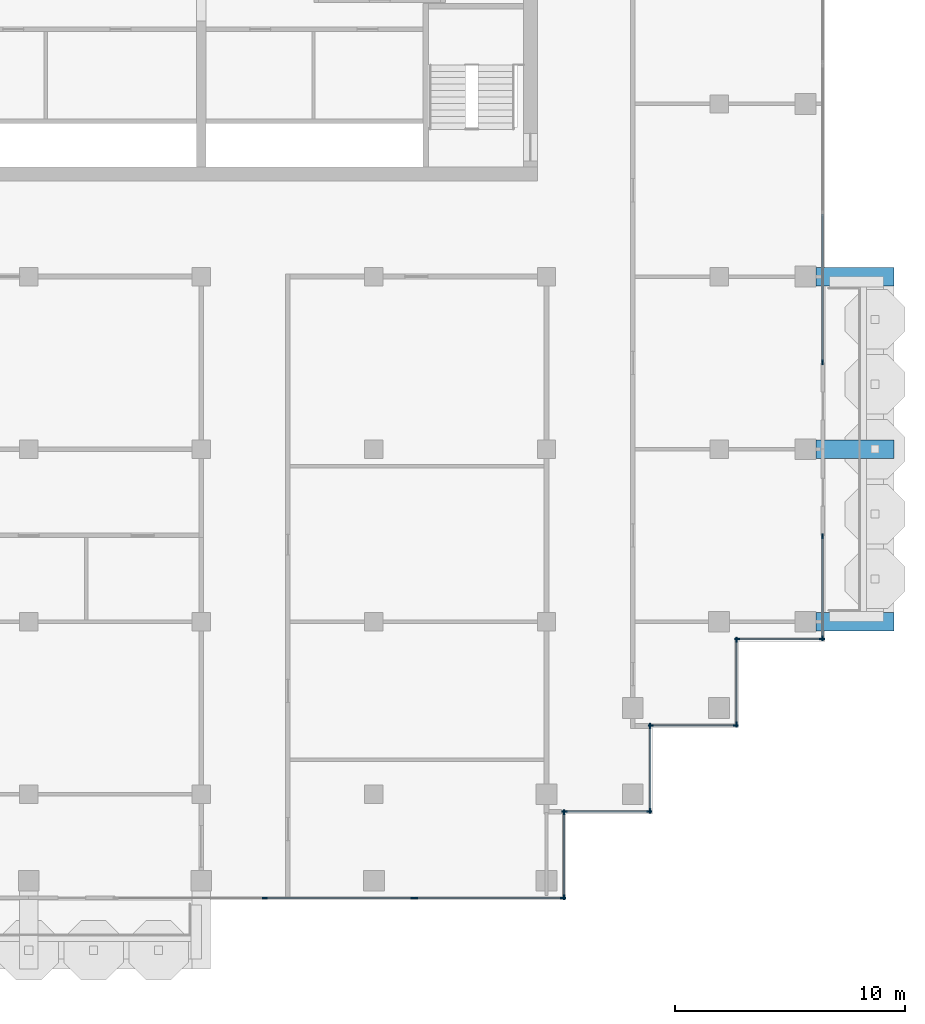
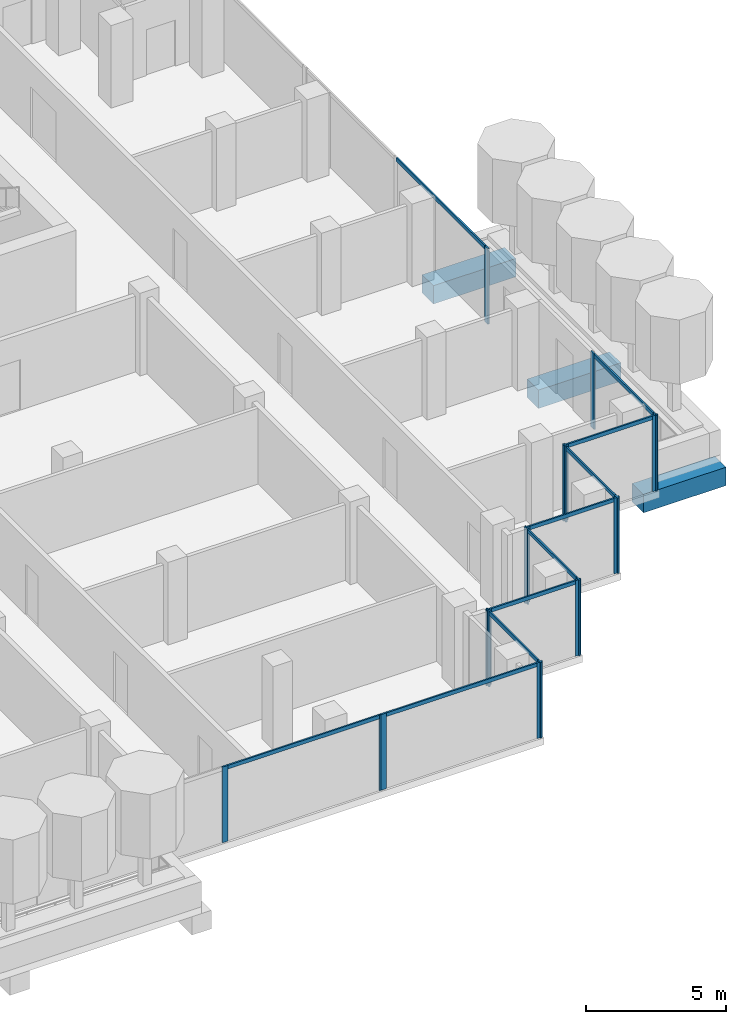
# One storey, part 4 of 18: 29 members, 3 beams, 10 elements without a shape of their own.
"""IFC4 building model written with IfcOpenShell, lengths in metres."""

from ifc_helpers import new_model, si_unit, direction, frame, origin, origin_2d, place, context, subcontext, project, spatial, rectangle, extrude, material, material_profile, profile_set, type_object, element, aggregate, save


model = new_model("IFC4")

# Units and contexts
model_context = context("Model", 3, precision=1e-05, world=origin(), true_north=direction((0.0, 1.0)))
body_context = subcontext(model_context, "Body", "Model", "MODEL_VIEW")
ifc_project = project(units=[si_unit("LENGTHUNIT", "METRE"), si_unit("AREAUNIT", "SQUARE_METRE"), si_unit("VOLUMEUNIT", "CUBIC_METRE"), si_unit("PLANEANGLEUNIT", "RADIAN"), si_unit("MASSUNIT", "GRAM", prefix="KILO")], contexts=[model_context])

# Site, building, storey
site_placement = place(None, origin())
site = spatial("IfcSite", under=ifc_project, at=site_placement, CompositionType="ELEMENT")
building_placement = place(site_placement, origin())
building = spatial("IfcBuilding", under=site, at=building_placement, Name="Pilkhan Gate Tower", CompositionType="ELEMENT")
storey_placement = place(building_placement, frame((0.0, 0.0, 242.699951171875)))
storey = spatial("IfcBuildingStorey", under=building, at=storey_placement, Name="L63", CompositionType="ELEMENT", Elevation=242.699951171875)

# Beams
ifc_material_1 = material(Name="Concrete C50/60", Category="concrete")
ifc_material_profile_1 = material_profile(ifc_material_1, rectangle(XDim=0.800048828125, YDim=0.800048828125, at=origin_2d()), Name="RC 800x800")
ifc_profile_set_1 = profile_set([ifc_material_profile_1], Name="Concrete C50/60")
beam_type = type_object("IfcBeamType", Name="Cantilever beam CB2 RC 800x800 C50/60", PredefinedType="BEAM", material=ifc_profile_set_1)
for number, where, z_axis, x_axis, name in (
    (1, (101.699951171875, 52.5, -0.699951171875), (1.0, 0.0, 0.0), (0.0, 1.0, 0.0), "Balcony beam E.1 L63"),
    (2, (101.699951171875, 60.0, -0.699951171875), (1.0, 0.0, 0.0), (0.0, 1.0, 0.0), "Balcony beam E.2 L63"),
    (3, (101.699951171875, 67.5, -0.699951171875), (1.0, 0.0, 0.0), (0.0, 1.0, 0.0), "Balcony beam E.3 L63"),
):
    element("IfcBeam", number, at=place(storey_placement, frame(where, z_axis=z_axis, x_axis=x_axis)), inside=storey, type_object=beam_type, Name=name, PredefinedType="BEAM", context=body_context, shape_type="SweptSolid", body=[
        extrude(rectangle(XDim=0.800048828125, YDim=0.800048828125, at=origin_2d()), origin(), (0.0, 0.0, 1.0), 3.400146484375),
    ])

# Curtain wall, members
ifc_material_2 = material(Name="Pale anodised aluminium, clear low-iron double glazing", Category="aluminium")
curtain_wall_type = type_object("IfcCurtainWallType", Name="Office unitised curtain wall CW-O2", PredefinedType="USERDEFINED", material=ifc_material_2)
curtain_wall_1_placement = place(storey_placement, origin())
curtain_wall_1 = element("IfcCurtainWall", 4, at=curtain_wall_1_placement, inside=storey, type_object=curtain_wall_type, Name="Office unitised curtain wall CW-O2 L63 E", ObjectType="UNITISED CURTAIN WALL", PredefinedType="USERDEFINED")
ifc_material_3 = material(Name="Pale anodised aluminium", Category="aluminium")
ifc_material_profile_2 = material_profile(ifc_material_3, rectangle(XDim=0.06494140625, YDim=0.22509765625, at=origin_2d()), Name="Mullion 225x65")
ifc_profile_set_2 = profile_set([ifc_material_profile_2], Name="Pale anodised aluminium")
member_type_1 = type_object("IfcMemberType", Name="Mullion CW-O2 225x65", PredefinedType="MULLION", material=ifc_profile_set_2)
member_1_placement = place(storey_placement, frame((102.0, 51.782470703125, 0.0), z_axis=(0.0, 0.0, 1.0), x_axis=(-1.0, 0.0, 0.0)))
member_1 = element("IfcMember", 5, at=member_1_placement, type_object=member_type_1, Name="CW-O2 mullion 1", PredefinedType="MULLION", context=body_context, shape_type="SweptSolid", body=[
    extrude(rectangle(XDim=0.06494140625, YDim=0.22509765625, at=origin_2d()), origin(), (0.0, 0.0, 1.0), 3.300048828125),
])
member_2_placement = place(storey_placement, frame((102.0, 56.217529296875, 0.0), z_axis=(0.0, 0.0, 1.0), x_axis=(-1.0, 0.0, 0.0)))
member_2 = element("IfcMember", 6, at=member_2_placement, type_object=member_type_1, Name="CW-O2 mullion 2", PredefinedType="MULLION", context=body_context, shape_type="SweptSolid", body=[
    extrude(rectangle(XDim=0.06494140625, YDim=0.22509765625, at=origin_2d()), origin(), (0.0, 0.0, 1.0), 3.300048828125),
])

# Curtain wall, member
curtain_wall_2_placement = place(storey_placement, origin())
curtain_wall_2 = element("IfcCurtainWall", 7, at=curtain_wall_2_placement, inside=storey, type_object=curtain_wall_type, Name="Office unitised curtain wall CW-O2 L63 E", ObjectType="UNITISED CURTAIN WALL", PredefinedType="USERDEFINED")
member_3_placement = place(storey_placement, frame((102.0, 63.782470703125, 0.0), z_axis=(0.0, 0.0, 1.0), x_axis=(-1.0, 0.0, 0.0)))
member_3 = element("IfcMember", 8, at=member_3_placement, type_object=member_type_1, Name="CW-O2 mullion 1", PredefinedType="MULLION", context=body_context, shape_type="SweptSolid", body=[
    extrude(rectangle(XDim=0.06494140625, YDim=0.22509765625, at=origin_2d()), origin(), (0.0, 0.0, 1.0), 3.300048828125),
])

# Curtain wall, members
curtain_wall_3_placement = place(storey_placement, origin())
curtain_wall_3 = element("IfcCurtainWall", 9, at=curtain_wall_3_placement, inside=storey, type_object=curtain_wall_type, Name="Office unitised curtain wall CW-O2 L63 S", ObjectType="UNITISED CURTAIN WALL", PredefinedType="USERDEFINED")
member_4_placement = place(storey_placement, frame((77.75, 40.5, 0.0), z_axis=(0.0, 0.0, 1.0), x_axis=(0.0, 1.0, 0.0)))
member_4 = element("IfcMember", 10, at=member_4_placement, type_object=member_type_1, Name="CW-O2 mullion 2", PredefinedType="MULLION", context=body_context, shape_type="SweptSolid", body=[
    extrude(rectangle(XDim=0.06494140625, YDim=0.22509765625, at=origin_2d()), origin(), (0.0, 0.0, 1.0), 3.300048828125),
])
member_5_placement = place(storey_placement, frame((84.217529296875, 40.5, 0.0), z_axis=(0.0, 0.0, 1.0), x_axis=(0.0, 1.0, 0.0)))
member_5 = element("IfcMember", 11, at=member_5_placement, type_object=member_type_1, Name="CW-O2 mullion 3", PredefinedType="MULLION", context=body_context, shape_type="SweptSolid", body=[
    extrude(rectangle(XDim=0.06494140625, YDim=0.22509765625, at=origin_2d()), origin(), (0.0, 0.0, 1.0), 3.300048828125),
])

curtain_wall_4_placement = place(storey_placement, origin())
curtain_wall_4 = element("IfcCurtainWall", 12, at=curtain_wall_4_placement, inside=storey, type_object=curtain_wall_type, Name="Office unitised curtain wall CW-O2 L63 S", ObjectType="UNITISED CURTAIN WALL", PredefinedType="USERDEFINED")
member_6_placement = place(storey_placement, frame((84.282470703125, 40.5, 0.0), z_axis=(0.0, 0.0, 1.0), x_axis=(0.0, 1.0, 0.0)))
member_6 = element("IfcMember", 13, at=member_6_placement, type_object=member_type_1, Name="CW-O2 mullion 1", PredefinedType="MULLION", context=body_context, shape_type="SweptSolid", body=[
    extrude(rectangle(XDim=0.06494140625, YDim=0.22509765625, at=origin_2d()), origin(), (0.0, 0.0, 1.0), 3.300048828125),
])
member_7_placement = place(storey_placement, frame((90.717529296875, 40.5, 0.0), z_axis=(0.0, 0.0, 1.0), x_axis=(0.0, 1.0, 0.0)))
member_7 = element("IfcMember", 14, at=member_7_placement, type_object=member_type_1, Name="CW-O2 mullion 2", PredefinedType="MULLION", context=body_context, shape_type="SweptSolid", body=[
    extrude(rectangle(XDim=0.06494140625, YDim=0.22509765625, at=origin_2d()), origin(), (0.0, 0.0, 1.0), 3.300048828125),
])

curtain_wall_5_placement = place(storey_placement, origin())
curtain_wall_5 = element("IfcCurtainWall", 15, at=curtain_wall_5_placement, inside=storey, type_object=curtain_wall_type, Name="Office unitised curtain wall CW-O2 L63 E", ObjectType="UNITISED CURTAIN WALL", PredefinedType="USERDEFINED")
member_8_placement = place(storey_placement, frame((90.75, 40.532470703125, 0.0), z_axis=(0.0, 0.0, 1.0), x_axis=(-1.0, 0.0, 0.0)))
member_8 = element("IfcMember", 16, at=member_8_placement, type_object=member_type_1, Name="CW-O2 mullion 1", PredefinedType="MULLION", context=body_context, shape_type="SweptSolid", body=[
    extrude(rectangle(XDim=0.06494140625, YDim=0.22509765625, at=origin_2d()), origin(), (0.0, 0.0, 1.0), 3.300048828125),
])
member_9_placement = place(storey_placement, frame((90.75, 44.217529296875, 0.0), z_axis=(0.0, 0.0, 1.0), x_axis=(-1.0, 0.0, 0.0)))
member_9 = element("IfcMember", 17, at=member_9_placement, type_object=member_type_1, Name="CW-O2 mullion 2", PredefinedType="MULLION", context=body_context, shape_type="SweptSolid", body=[
    extrude(rectangle(XDim=0.06494140625, YDim=0.22509765625, at=origin_2d()), origin(), (0.0, 0.0, 1.0), 3.300048828125),
])

curtain_wall_6_placement = place(storey_placement, origin())
curtain_wall_6 = element("IfcCurtainWall", 18, at=curtain_wall_6_placement, inside=storey, type_object=curtain_wall_type, Name="Office unitised curtain wall CW-O2 L63 S", ObjectType="UNITISED CURTAIN WALL", PredefinedType="USERDEFINED")
member_10_placement = place(storey_placement, frame((90.782470703125, 44.25, 0.0), z_axis=(0.0, 0.0, 1.0), x_axis=(0.0, 1.0, 0.0)))
member_10 = element("IfcMember", 19, at=member_10_placement, type_object=member_type_1, Name="CW-O2 mullion 1", PredefinedType="MULLION", context=body_context, shape_type="SweptSolid", body=[
    extrude(rectangle(XDim=0.06494140625, YDim=0.22509765625, at=origin_2d()), origin(), (0.0, 0.0, 1.0), 3.300048828125),
])
member_11_placement = place(storey_placement, frame((94.467529296875, 44.25, 0.0), z_axis=(0.0, 0.0, 1.0), x_axis=(0.0, 1.0, 0.0)))
member_11 = element("IfcMember", 20, at=member_11_placement, type_object=member_type_1, Name="CW-O2 mullion 2", PredefinedType="MULLION", context=body_context, shape_type="SweptSolid", body=[
    extrude(rectangle(XDim=0.06494140625, YDim=0.22509765625, at=origin_2d()), origin(), (0.0, 0.0, 1.0), 3.300048828125),
])

curtain_wall_7_placement = place(storey_placement, origin())
curtain_wall_7 = element("IfcCurtainWall", 21, at=curtain_wall_7_placement, inside=storey, type_object=curtain_wall_type, Name="Office unitised curtain wall CW-O2 L63 E", ObjectType="UNITISED CURTAIN WALL", PredefinedType="USERDEFINED")
member_12_placement = place(storey_placement, frame((94.5, 44.282470703125, 0.0), z_axis=(0.0, 0.0, 1.0), x_axis=(-1.0, 0.0, 0.0)))
member_12 = element("IfcMember", 22, at=member_12_placement, type_object=member_type_1, Name="CW-O2 mullion 1", PredefinedType="MULLION", context=body_context, shape_type="SweptSolid", body=[
    extrude(rectangle(XDim=0.06494140625, YDim=0.22509765625, at=origin_2d()), origin(), (0.0, 0.0, 1.0), 3.300048828125),
])
member_13_placement = place(storey_placement, frame((94.5, 47.967529296875, 0.0), z_axis=(0.0, 0.0, 1.0), x_axis=(-1.0, 0.0, 0.0)))
member_13 = element("IfcMember", 23, at=member_13_placement, type_object=member_type_1, Name="CW-O2 mullion 2", PredefinedType="MULLION", context=body_context, shape_type="SweptSolid", body=[
    extrude(rectangle(XDim=0.06494140625, YDim=0.22509765625, at=origin_2d()), origin(), (0.0, 0.0, 1.0), 3.300048828125),
])

curtain_wall_8_placement = place(storey_placement, origin())
curtain_wall_8 = element("IfcCurtainWall", 24, at=curtain_wall_8_placement, inside=storey, type_object=curtain_wall_type, Name="Office unitised curtain wall CW-O2 L63 S", ObjectType="UNITISED CURTAIN WALL", PredefinedType="USERDEFINED")
member_14_placement = place(storey_placement, frame((94.532470703125, 48.0, 0.0), z_axis=(0.0, 0.0, 1.0), x_axis=(0.0, 1.0, 0.0)))
member_14 = element("IfcMember", 25, at=member_14_placement, type_object=member_type_1, Name="CW-O2 mullion 1", PredefinedType="MULLION", context=body_context, shape_type="SweptSolid", body=[
    extrude(rectangle(XDim=0.06494140625, YDim=0.22509765625, at=origin_2d()), origin(), (0.0, 0.0, 1.0), 3.300048828125),
])
member_15_placement = place(storey_placement, frame((98.217529296875, 48.0, 0.0), z_axis=(0.0, 0.0, 1.0), x_axis=(0.0, 1.0, 0.0)))
member_15 = element("IfcMember", 26, at=member_15_placement, type_object=member_type_1, Name="CW-O2 mullion 2", PredefinedType="MULLION", context=body_context, shape_type="SweptSolid", body=[
    extrude(rectangle(XDim=0.06494140625, YDim=0.22509765625, at=origin_2d()), origin(), (0.0, 0.0, 1.0), 3.300048828125),
])

curtain_wall_9_placement = place(storey_placement, origin())
curtain_wall_9 = element("IfcCurtainWall", 27, at=curtain_wall_9_placement, inside=storey, type_object=curtain_wall_type, Name="Office unitised curtain wall CW-O2 L63 E", ObjectType="UNITISED CURTAIN WALL", PredefinedType="USERDEFINED")
member_16_placement = place(storey_placement, frame((98.25, 48.032470703125, 0.0), z_axis=(0.0, 0.0, 1.0), x_axis=(-1.0, 0.0, 0.0)))
member_16 = element("IfcMember", 28, at=member_16_placement, type_object=member_type_1, Name="CW-O2 mullion 1", PredefinedType="MULLION", context=body_context, shape_type="SweptSolid", body=[
    extrude(rectangle(XDim=0.06494140625, YDim=0.22509765625, at=origin_2d()), origin(), (0.0, 0.0, 1.0), 3.300048828125),
])
member_17_placement = place(storey_placement, frame((98.25, 51.717529296875, 0.0), z_axis=(0.0, 0.0, 1.0), x_axis=(-1.0, 0.0, 0.0)))
member_17 = element("IfcMember", 29, at=member_17_placement, type_object=member_type_1, Name="CW-O2 mullion 2", PredefinedType="MULLION", context=body_context, shape_type="SweptSolid", body=[
    extrude(rectangle(XDim=0.06494140625, YDim=0.22509765625, at=origin_2d()), origin(), (0.0, 0.0, 1.0), 3.300048828125),
])

curtain_wall_10_placement = place(storey_placement, origin())
curtain_wall_10 = element("IfcCurtainWall", 30, at=curtain_wall_10_placement, inside=storey, type_object=curtain_wall_type, Name="Office unitised curtain wall CW-O2 L63 S", ObjectType="UNITISED CURTAIN WALL", PredefinedType="USERDEFINED")
member_18_placement = place(storey_placement, frame((98.282470703125, 51.75, 0.0), z_axis=(0.0, 0.0, 1.0), x_axis=(0.0, 1.0, 0.0)))
member_18 = element("IfcMember", 31, at=member_18_placement, type_object=member_type_1, Name="CW-O2 mullion 1", PredefinedType="MULLION", context=body_context, shape_type="SweptSolid", body=[
    extrude(rectangle(XDim=0.06494140625, YDim=0.22509765625, at=origin_2d()), origin(), (0.0, 0.0, 1.0), 3.300048828125),
])
member_19_placement = place(storey_placement, frame((101.967529296875, 51.75, 0.0), z_axis=(0.0, 0.0, 1.0), x_axis=(0.0, 1.0, 0.0)))
member_19 = element("IfcMember", 32, at=member_19_placement, type_object=member_type_1, Name="CW-O2 mullion 2", PredefinedType="MULLION", context=body_context, shape_type="SweptSolid", body=[
    extrude(rectangle(XDim=0.06494140625, YDim=0.22509765625, at=origin_2d()), origin(), (0.0, 0.0, 1.0), 3.300048828125),
])

# Member
ifc_material_profile_3 = material_profile(ifc_material_3, rectangle(XDim=0.06494140625, YDim=0.1650390625, at=origin_2d()), Name="Transom 165x65")
ifc_profile_set_3 = profile_set([ifc_material_profile_3], Name="Pale anodised aluminium")
member_type_2 = type_object("IfcMemberType", Name="Transom CW-O2 165x65", PredefinedType="USERDEFINED", material=ifc_profile_set_3)
member_20_placement = place(storey_placement, frame((102.0, 51.81494140625, 3.217529296875), z_axis=(0.0, 1.0, 0.0), x_axis=(-1.0, 0.0, 0.0)))
member_20 = element("IfcMember", 33, at=member_20_placement, type_object=member_type_2, Name="CW-O2 transom 1", ObjectType="TRANSOM", PredefinedType="USERDEFINED", context=body_context, shape_type="SweptSolid", body=[
    extrude(rectangle(XDim=0.06494140625, YDim=0.1650390625, at=origin_2d()), origin(), (0.0, 0.0, 1.0), 4.3701171875),
])

aggregate(curtain_wall_1, [member_1, member_2, member_20])

member_21_placement = place(storey_placement, frame((102.0, 63.81494140625, 3.217529296875), z_axis=(0.0, 1.0, 0.0), x_axis=(-1.0, 0.0, 0.0)))
member_21 = element("IfcMember", 34, at=member_21_placement, type_object=member_type_2, Name="CW-O2 transom 1", ObjectType="TRANSOM", PredefinedType="USERDEFINED", context=body_context, shape_type="SweptSolid", body=[
    extrude(rectangle(XDim=0.06494140625, YDim=0.1650390625, at=origin_2d()), origin(), (0.0, 0.0, 1.0), 6.402587890625),
])

aggregate(curtain_wall_2, [member_3, member_21])

member_22_placement = place(storey_placement, frame((77.782470703125, 40.5, 3.217529296875), z_axis=(1.0, 0.0, 0.0), x_axis=(0.0, 1.0, 0.0)))
member_22 = element("IfcMember", 35, at=member_22_placement, type_object=member_type_2, Name="CW-O2 transom 2", ObjectType="TRANSOM", PredefinedType="USERDEFINED", context=body_context, shape_type="SweptSolid", body=[
    extrude(rectangle(XDim=0.06494140625, YDim=0.1650390625, at=origin_2d()), origin(), (0.0, 0.0, 1.0), 6.402587890625),
])

aggregate(curtain_wall_3, [member_4, member_5, member_22])

member_23_placement = place(storey_placement, frame((84.31494140625, 40.5, 3.217529296875), z_axis=(1.0, 0.0, 0.0), x_axis=(0.0, 1.0, 0.0)))
member_23 = element("IfcMember", 36, at=member_23_placement, type_object=member_type_2, Name="CW-O2 transom 1", ObjectType="TRANSOM", PredefinedType="USERDEFINED", context=body_context, shape_type="SweptSolid", body=[
    extrude(rectangle(XDim=0.06494140625, YDim=0.1650390625, at=origin_2d()), origin(), (0.0, 0.0, 1.0), 6.3701171875),
])

aggregate(curtain_wall_4, [member_6, member_7, member_23])

member_24_placement = place(storey_placement, frame((90.75, 40.56494140625, 3.217529296875), z_axis=(0.0, 1.0, 0.0), x_axis=(-1.0, 0.0, 0.0)))
member_24 = element("IfcMember", 37, at=member_24_placement, type_object=member_type_2, Name="CW-O2 transom 1", ObjectType="TRANSOM", PredefinedType="USERDEFINED", context=body_context, shape_type="SweptSolid", body=[
    extrude(rectangle(XDim=0.06494140625, YDim=0.1650390625, at=origin_2d()), origin(), (0.0, 0.0, 1.0), 3.6201171875),
])

aggregate(curtain_wall_5, [member_8, member_9, member_24])

member_25_placement = place(storey_placement, frame((90.81494140625, 44.25, 3.217529296875), z_axis=(1.0, 0.0, 0.0), x_axis=(0.0, 1.0, 0.0)))
member_25 = element("IfcMember", 38, at=member_25_placement, type_object=member_type_2, Name="CW-O2 transom 1", ObjectType="TRANSOM", PredefinedType="USERDEFINED", context=body_context, shape_type="SweptSolid", body=[
    extrude(rectangle(XDim=0.06494140625, YDim=0.1650390625, at=origin_2d()), origin(), (0.0, 0.0, 1.0), 3.6201171875),
])

aggregate(curtain_wall_6, [member_10, member_11, member_25])

member_26_placement = place(storey_placement, frame((94.5, 44.31494140625, 3.217529296875), z_axis=(0.0, 1.0, 0.0), x_axis=(-1.0, 0.0, 0.0)))
member_26 = element("IfcMember", 39, at=member_26_placement, type_object=member_type_2, Name="CW-O2 transom 1", ObjectType="TRANSOM", PredefinedType="USERDEFINED", context=body_context, shape_type="SweptSolid", body=[
    extrude(rectangle(XDim=0.06494140625, YDim=0.1650390625, at=origin_2d()), origin(), (0.0, 0.0, 1.0), 3.6201171875),
])

aggregate(curtain_wall_7, [member_12, member_13, member_26])

member_27_placement = place(storey_placement, frame((94.56494140625, 48.0, 3.217529296875), z_axis=(1.0, 0.0, 0.0), x_axis=(0.0, 1.0, 0.0)))
member_27 = element("IfcMember", 40, at=member_27_placement, type_object=member_type_2, Name="CW-O2 transom 1", ObjectType="TRANSOM", PredefinedType="USERDEFINED", context=body_context, shape_type="SweptSolid", body=[
    extrude(rectangle(XDim=0.06494140625, YDim=0.1650390625, at=origin_2d()), origin(), (0.0, 0.0, 1.0), 3.6201171875),
])

aggregate(curtain_wall_8, [member_14, member_15, member_27])

member_28_placement = place(storey_placement, frame((98.25, 48.06494140625, 3.217529296875), z_axis=(0.0, 1.0, 0.0), x_axis=(-1.0, 0.0, 0.0)))
member_28 = element("IfcMember", 41, at=member_28_placement, type_object=member_type_2, Name="CW-O2 transom 1", ObjectType="TRANSOM", PredefinedType="USERDEFINED", context=body_context, shape_type="SweptSolid", body=[
    extrude(rectangle(XDim=0.06494140625, YDim=0.1650390625, at=origin_2d()), origin(), (0.0, 0.0, 1.0), 3.6201171875),
])

aggregate(curtain_wall_9, [member_16, member_17, member_28])

member_29_placement = place(storey_placement, frame((98.31494140625, 51.75, 3.217529296875), z_axis=(1.0, 0.0, 0.0), x_axis=(0.0, 1.0, 0.0)))
member_29 = element("IfcMember", 42, at=member_29_placement, type_object=member_type_2, Name="CW-O2 transom 1", ObjectType="TRANSOM", PredefinedType="USERDEFINED", context=body_context, shape_type="SweptSolid", body=[
    extrude(rectangle(XDim=0.06494140625, YDim=0.1650390625, at=origin_2d()), origin(), (0.0, 0.0, 1.0), 3.6201171875),
])

aggregate(curtain_wall_10, [member_18, member_19, member_29])

save(model, "model.ifc")
